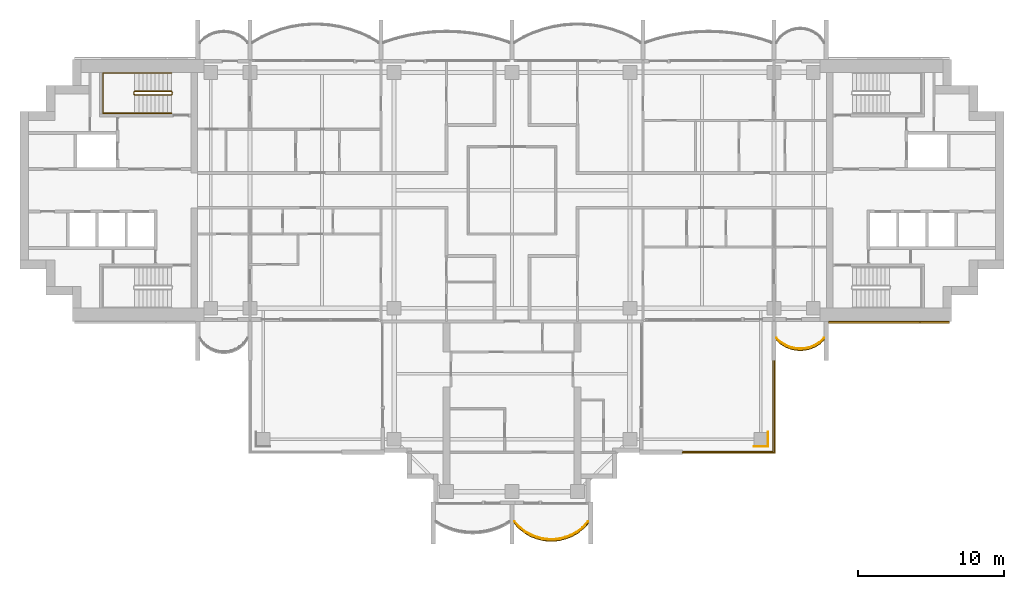
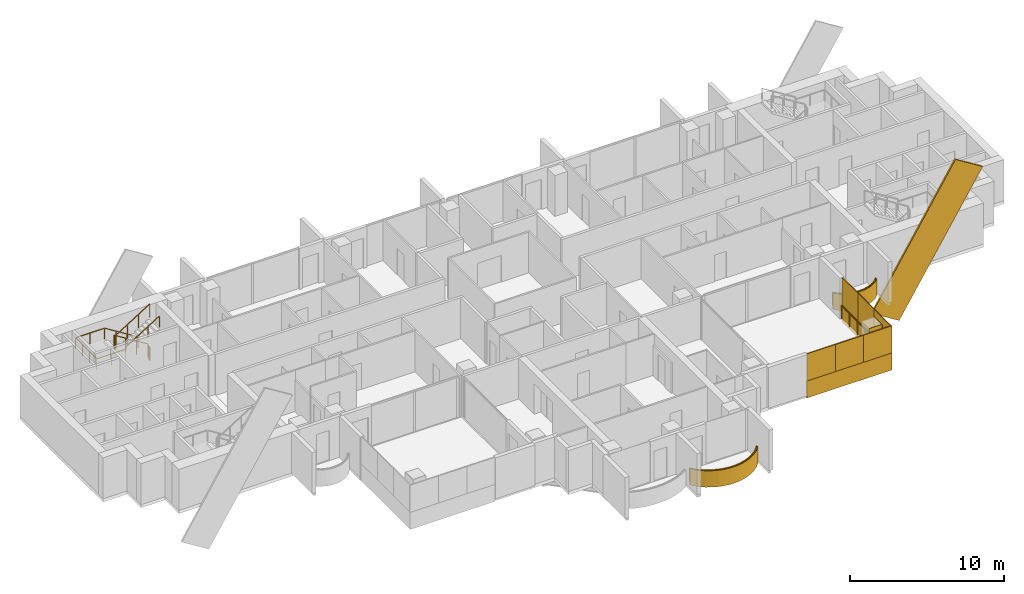
# One storey, part 15 of 17: 12 coverings, 5 railings.
"""IFC4 building model written with IfcOpenShell, lengths in metres."""

from ifc_helpers import new_model, si_unit, direction, frame, origin, origin_2d, place, context, subcontext, project, spatial, polyline, rectangle, outline, extrude, material, layer, layer_set, material_profile, profile_set, type_object, element, save


model = new_model("IFC4")

# Units and contexts
model_context = context("Model", 3, precision=1e-05, world=origin(), true_north=direction((0.0, 1.0)))
body_context = subcontext(model_context, "Body", "Model", "MODEL_VIEW")
ifc_project = project(units=[si_unit("LENGTHUNIT", "METRE"), si_unit("AREAUNIT", "SQUARE_METRE"), si_unit("VOLUMEUNIT", "CUBIC_METRE"), si_unit("PLANEANGLEUNIT", "RADIAN"), si_unit("MASSUNIT", "GRAM", prefix="KILO")], contexts=[model_context])

# Site, building, storey
site_placement = place(None, origin())
site = spatial("IfcSite", under=ifc_project, at=site_placement, CompositionType="ELEMENT")
building_placement = place(site_placement, origin())
building = spatial("IfcBuilding", under=site, at=building_placement, Name="Perihelion Cross Residences", CompositionType="ELEMENT")
storey_placement = place(building_placement, frame((0.0, 0.0, 198.10009765625)))
storey = spatial("IfcBuildingStorey", under=building, at=storey_placement, Name="L49", CompositionType="ELEMENT", Elevation=198.10009765625)

# Coverings
ifc_material_1 = material(Name="Bronze anodised aluminium", Category="aluminium")
ifc_layer_1 = layer(ifc_material_1, 0.070068359375)
ifc_layer_set_1 = layer_set([ifc_layer_1], Name="Balcony fascia 1300")
covering_type_1 = type_object("IfcCoveringType", Name="Balcony fascia 1300", PredefinedType="CLADDING", material=ifc_layer_set_1)
covering_1_placement = place(storey_placement, frame((0.0, 0.0, -0.2001953125)))
element("IfcCovering", 1, at=covering_1_placement, inside=storey, type_object=covering_type_1, Name="Fascia BF1 L49 south tip south bay 2", PredefinedType="CLADDING", context=body_context, shape_type="SweptSolid", body=[
    extrude(outline(polyline([(0.4951171875, -23.27392578125), (0.89599609375, -23.58251953125), (1.296875, -23.806396484375), (1.69775390625, -23.9638671875), (2.0986328125, -24.064697265625), (2.49951171875, -24.114013671875), (2.900390625, -24.114013671875), (3.30126953125, -24.064697265625), (3.7021484375, -23.9638671875), (4.10302734375, -23.806396484375), (4.50390625, -23.58251953125), (4.90478515625, -23.27392578125), (5.25, -22.90283203125), (5.25, -22.800048828125), (4.857666015625, -23.22216796875), (4.46533203125, -23.524169921875), (4.072998046875, -23.7431640625), (3.6806640625, -23.897216796875), (3.28857421875, -23.995849609375), (2.896240234375, -24.0439453125), (2.50390625, -24.0439453125), (2.111572265625, -23.995849609375), (1.71923828125, -23.897216796875), (1.326904296875, -23.7431640625), (0.9345703125, -23.524169921875), (0.542236328125, -23.22216796875), (0.14990234375, -22.800048828125), (0.14990234375, -22.90283203125), (0.4951171875, -23.27392578125)])), origin(), (0.0, 0.0, 1.0), 1.300048828125),
])
covering_2_placement = place(storey_placement, frame((0.0, 0.0, -0.2001953125)))
element("IfcCovering", 2, at=covering_2_placement, inside=storey, type_object=covering_type_1, Name="Fascia BF1 L49 east side south bay 2", PredefinedType="CLADDING", context=body_context, shape_type="SweptSolid", body=[
    extrude(outline(polyline([(18.4375, -10.56298828125), (18.778076171875, -10.77587890625), (19.11865234375, -10.914794921875), (19.45947265625, -10.994140625), (19.800048828125, -11.02001953125), (20.140625, -10.994140625), (20.481201171875, -10.914794921875), (20.82177734375, -10.77587890625), (21.16259765625, -10.56298828125), (21.449951171875, -10.295654296875), (21.449951171875, -10.199951171875), (21.1201171875, -10.507568359375), (20.7900390625, -10.71337890625), (20.4599609375, -10.84814453125), (20.1298828125, -10.925048828125), (19.800048828125, -10.949951171875), (19.469970703125, -10.925048828125), (19.139892578125, -10.84814453125), (18.81005859375, -10.71337890625), (18.47998046875, -10.507568359375), (18.14990234375, -10.199951171875), (18.14990234375, -10.295654296875), (18.4375, -10.56298828125)])), origin(), (0.0, 0.0, 1.0), 1.300048828125),
])

# Railings
ifc_material_2 = material(Name="Bronze anodised aluminium", Category="aluminium")
railing_type_1 = type_object("IfcRailingType", Name="Balcony guard 1100", PredefinedType="GUARDRAIL", material=ifc_material_2)
railing_1_placement = place(storey_placement, frame((0.175048828125, -22.739990234375, 0.0)))
element("IfcRailing", 3, at=railing_1_placement, inside=storey, type_object=railing_type_1, Name="Guard GU1 L49 south tip south bay 2 balcony", PredefinedType="GUARDRAIL", context=body_context, shape_type="SweptSolid", body=[
    extrude(rectangle(XDim=0.048095703125, YDim=0.048095703125, at=origin_2d()), frame((0.0, 0.0, 1.076171875), z_axis=(0.656308349551, -0.754492776844, 0.0), x_axis=(0.754492776844, 0.656308349551, 0.0)), (0.0, 0.0, 1.0), 0.5595703125),
    extrude(rectangle(XDim=0.048095703125, YDim=0.048095703125, at=origin_2d()), frame((0.3671875, -0.422119140625, 1.076171875), z_axis=(0.792422303655, -0.609972862241, 0.0), x_axis=(0.609972862241, 0.792422303655, 0.0)), (0.0, 0.0, 1.0), 0.4951171875),
    extrude(rectangle(XDim=0.048095703125, YDim=0.048095703125, at=origin_2d()), frame((0.759521484375, -0.72412109375, 1.076171875), z_axis=(0.873181568748, -0.487395063576, 0.0), x_axis=(0.487395063576, 0.873181568748, 0.0)), (0.0, 0.0, 1.0), 0.44921875),
    extrude(rectangle(XDim=0.048095703125, YDim=0.048095703125, at=origin_2d()), frame((1.15185546875, -0.943115234375, 1.076171875), z_axis=(0.930617693705, -0.365992770642, 0.0), x_axis=(0.365992770642, 0.930617693705, 0.0)), (0.0, 0.0, 1.0), 0.421630859375),
    extrude(rectangle(XDim=0.048095703125, YDim=0.048095703125, at=origin_2d()), frame((1.544189453125, -1.097412109375, 1.076171875), z_axis=(0.969964714601, -0.243245662716, 0.0), x_axis=(0.243245662716, 0.969964714601, 0.0)), (0.0, 0.0, 1.0), 0.404541015625),
    extrude(rectangle(XDim=0.048095703125, YDim=0.048095703125, at=origin_2d()), frame((1.9365234375, -1.19580078125, 1.076171875), z_axis=(0.992494874491, -0.122286238425, 0.0), x_axis=(0.122286238425, 0.992494874491, 0.0)), (0.0, 0.0, 1.0), 0.395263671875),
    extrude(rectangle(XDim=0.048095703125, YDim=0.048095703125, at=origin_2d()), frame((2.328857421875, -1.244140625, 1.076171875), z_axis=(1.0, 0.0, 0.0), x_axis=(0.0, 1.0, 0.0)), (0.0, 0.0, 1.0), 0.392333984375),
    extrude(rectangle(XDim=0.048095703125, YDim=0.048095703125, at=origin_2d()), frame((2.72119140625, -1.244140625, 1.076171875), z_axis=(0.992494874491, 0.122286238425, 0.0), x_axis=(-0.122286238425, 0.992494874491, 0.0)), (0.0, 0.0, 1.0), 0.395263671875),
    extrude(rectangle(XDim=0.048095703125, YDim=0.048095703125, at=origin_2d()), frame((3.113525390625, -1.19580078125, 1.076171875), z_axis=(0.96992896989, 0.243388153715, 0.0), x_axis=(-0.243388153715, 0.96992896989, 0.0)), (0.0, 0.0, 1.0), 0.404296875),
    extrude(rectangle(XDim=0.048095703125, YDim=0.048095703125, at=origin_2d()), frame((3.505615234375, -1.097412109375, 1.076171875), z_axis=(0.930617693705, 0.365992770642, 0.0), x_axis=(-0.365992770642, 0.930617693705, 0.0)), (0.0, 0.0, 1.0), 0.421630859375),
    extrude(rectangle(XDim=0.048095703125, YDim=0.048095703125, at=origin_2d()), frame((3.89794921875, -0.943115234375, 1.076171875), z_axis=(0.873181568748, 0.487395063576, 0.0), x_axis=(-0.487395063576, 0.873181568748, 0.0)), (0.0, 0.0, 1.0), 0.44921875),
    extrude(rectangle(XDim=0.048095703125, YDim=0.048095703125, at=origin_2d()), frame((4.290283203125, -0.72412109375, 1.076171875), z_axis=(0.792422303655, 0.609972862241, 0.0), x_axis=(-0.609972862241, 0.792422303655, 0.0)), (0.0, 0.0, 1.0), 0.4951171875),
    extrude(rectangle(XDim=0.048095703125, YDim=0.048095703125, at=origin_2d()), frame((4.6826171875, -0.422119140625, 1.076171875), z_axis=(0.656556653543, 0.754276713606, 0.0), x_axis=(-0.754276713606, 0.656556653543, 0.0)), (0.0, 0.0, 1.0), 0.5595703125),
    extrude(rectangle(XDim=0.0419921875, YDim=0.0419921875, at=origin_2d()), origin(), (0.0, 0.0, 1.0), 1.052001953125),
    extrude(rectangle(XDim=0.0419921875, YDim=0.0419921875, at=origin_2d()), frame((0.3671875, -0.422119140625, 0.0)), (0.0, 0.0, 1.0), 1.052001953125),
    extrude(rectangle(XDim=0.0419921875, YDim=0.0419921875, at=origin_2d()), frame((0.759521484375, -0.72412109375, 0.0)), (0.0, 0.0, 1.0), 1.052001953125),
    extrude(rectangle(XDim=0.0419921875, YDim=0.0419921875, at=origin_2d()), frame((1.15185546875, -0.943115234375, 0.0)), (0.0, 0.0, 1.0), 1.052001953125),
    extrude(rectangle(XDim=0.0419921875, YDim=0.0419921875, at=origin_2d()), frame((1.544189453125, -1.097412109375, 0.0)), (0.0, 0.0, 1.0), 1.052001953125),
    extrude(rectangle(XDim=0.0419921875, YDim=0.0419921875, at=origin_2d()), frame((1.9365234375, -1.19580078125, 0.0)), (0.0, 0.0, 1.0), 1.052001953125),
    extrude(rectangle(XDim=0.0419921875, YDim=0.0419921875, at=origin_2d()), frame((2.328857421875, -1.244140625, 0.0)), (0.0, 0.0, 1.0), 1.052001953125),
    extrude(rectangle(XDim=0.0419921875, YDim=0.0419921875, at=origin_2d()), frame((2.72119140625, -1.244140625, 0.0)), (0.0, 0.0, 1.0), 1.052001953125),
    extrude(rectangle(XDim=0.0419921875, YDim=0.0419921875, at=origin_2d()), frame((3.113525390625, -1.19580078125, 0.0)), (0.0, 0.0, 1.0), 1.052001953125),
    extrude(rectangle(XDim=0.0419921875, YDim=0.0419921875, at=origin_2d()), frame((3.505615234375, -1.097412109375, 0.0)), (0.0, 0.0, 1.0), 1.052001953125),
    extrude(rectangle(XDim=0.0419921875, YDim=0.0419921875, at=origin_2d()), frame((3.89794921875, -0.943115234375, 0.0)), (0.0, 0.0, 1.0), 1.052001953125),
    extrude(rectangle(XDim=0.0419921875, YDim=0.0419921875, at=origin_2d()), frame((4.290283203125, -0.72412109375, 0.0)), (0.0, 0.0, 1.0), 1.052001953125),
    extrude(rectangle(XDim=0.0419921875, YDim=0.0419921875, at=origin_2d()), frame((4.6826171875, -0.422119140625, 0.0)), (0.0, 0.0, 1.0), 1.052001953125),
    extrude(rectangle(XDim=0.0419921875, YDim=0.0419921875, at=origin_2d()), frame((5.050048828125, 0.0, 0.0)), (0.0, 0.0, 1.0), 1.052001953125),
])
railing_2_placement = place(storey_placement, frame((18.175048828125, -10.139892578125, 0.0)))
element("IfcRailing", 4, at=railing_2_placement, inside=storey, type_object=railing_type_1, Name="Guard GU1 L49 east side south bay 2 balcony", PredefinedType="GUARDRAIL", context=body_context, shape_type="SweptSolid", body=[
    extrude(rectangle(XDim=0.048095703125, YDim=0.048095703125, at=origin_2d()), frame((0.0, 0.0, 1.076171875), z_axis=(0.703999905859, -0.710200065158, 0.0), x_axis=(0.710200065158, 0.703999905859, 0.0)), (0.0, 0.0, 1.0), 0.43310546875),
    extrude(rectangle(XDim=0.048095703125, YDim=0.048095703125, at=origin_2d()), frame((0.304931640625, -0.3076171875, 1.076171875), z_axis=(0.848280173265, -0.529547682127, 0.0), x_axis=(0.529547682127, 0.848280173265, 0.0)), (0.0, 0.0, 1.0), 0.38916015625),
    extrude(rectangle(XDim=0.048095703125, YDim=0.048095703125, at=origin_2d()), frame((0.635009765625, -0.513671875, 1.076171875), z_axis=(0.925950379976, -0.377645195682, 0.0), x_axis=(0.377645195682, 0.925950379976, 0.0)), (0.0, 0.0, 1.0), 0.356201171875),
    extrude(rectangle(XDim=0.048095703125, YDim=0.048095703125, at=origin_2d()), frame((0.96484375, -0.648193359375, 1.076171875), z_axis=(0.97391554583, -0.226910796551, 0.0), x_axis=(0.226910796551, 0.97391554583, 0.0)), (0.0, 0.0, 1.0), 0.3388671875),
    extrude(rectangle(XDim=0.048095703125, YDim=0.048095703125, at=origin_2d()), frame((1.294921875, -0.72509765625, 1.076171875), z_axis=(0.997166208737, -0.075229995038, 0.0), x_axis=(0.075229995038, 0.997166208737, 0.0)), (0.0, 0.0, 1.0), 0.3310546875),
    extrude(rectangle(XDim=0.048095703125, YDim=0.048095703125, at=origin_2d()), frame((1.625, -0.75, 1.076171875), z_axis=(0.997162029931, 0.075285364214, 0.0), x_axis=(-0.075285364214, 0.997162029931, 0.0)), (0.0, 0.0, 1.0), 0.330810546875),
    extrude(rectangle(XDim=0.048095703125, YDim=0.048095703125, at=origin_2d()), frame((1.954833984375, -0.72509765625, 1.076171875), z_axis=(0.97391554583, 0.226910796551, 0.0), x_axis=(-0.226910796551, 0.97391554583, 0.0)), (0.0, 0.0, 1.0), 0.3388671875),
    extrude(rectangle(XDim=0.048095703125, YDim=0.048095703125, at=origin_2d()), frame((2.284912109375, -0.648193359375, 1.076171875), z_axis=(0.926048033295, 0.377405670374, 0.0), x_axis=(-0.377405670374, 0.926048033295, 0.0)), (0.0, 0.0, 1.0), 0.3564453125),
    extrude(rectangle(XDim=0.048095703125, YDim=0.048095703125, at=origin_2d()), frame((2.614990234375, -0.513671875, 1.076171875), z_axis=(0.848280173265, 0.529547682127, 0.0), x_axis=(-0.529547682127, 0.848280173265, 0.0)), (0.0, 0.0, 1.0), 0.38916015625),
    extrude(rectangle(XDim=0.048095703125, YDim=0.048095703125, at=origin_2d()), frame((2.945068359375, -0.3076171875, 1.076171875), z_axis=(0.703999905859, 0.710200065158, 0.0), x_axis=(-0.710200065158, 0.703999905859, 0.0)), (0.0, 0.0, 1.0), 0.43310546875),
    extrude(rectangle(XDim=0.0419921875, YDim=0.0419921875, at=origin_2d()), origin(), (0.0, 0.0, 1.0), 1.052001953125),
    extrude(rectangle(XDim=0.0419921875, YDim=0.0419921875, at=origin_2d()), frame((0.304931640625, -0.3076171875, 0.0)), (0.0, 0.0, 1.0), 1.052001953125),
    extrude(rectangle(XDim=0.0419921875, YDim=0.0419921875, at=origin_2d()), frame((0.635009765625, -0.513671875, 0.0)), (0.0, 0.0, 1.0), 1.052001953125),
    extrude(rectangle(XDim=0.0419921875, YDim=0.0419921875, at=origin_2d()), frame((0.96484375, -0.648193359375, 0.0)), (0.0, 0.0, 1.0), 1.052001953125),
    extrude(rectangle(XDim=0.0419921875, YDim=0.0419921875, at=origin_2d()), frame((1.294921875, -0.72509765625, 0.0)), (0.0, 0.0, 1.0), 1.052001953125),
    extrude(rectangle(XDim=0.0419921875, YDim=0.0419921875, at=origin_2d()), frame((1.625, -0.75, 0.0)), (0.0, 0.0, 1.0), 1.052001953125),
    extrude(rectangle(XDim=0.0419921875, YDim=0.0419921875, at=origin_2d()), frame((1.954833984375, -0.72509765625, 0.0)), (0.0, 0.0, 1.0), 1.052001953125),
    extrude(rectangle(XDim=0.0419921875, YDim=0.0419921875, at=origin_2d()), frame((2.284912109375, -0.648193359375, 0.0)), (0.0, 0.0, 1.0), 1.052001953125),
    extrude(rectangle(XDim=0.0419921875, YDim=0.0419921875, at=origin_2d()), frame((2.614990234375, -0.513671875, 0.0)), (0.0, 0.0, 1.0), 1.052001953125),
    extrude(rectangle(XDim=0.0419921875, YDim=0.0419921875, at=origin_2d()), frame((2.945068359375, -0.3076171875, 0.0)), (0.0, 0.0, 1.0), 1.052001953125),
    extrude(rectangle(XDim=0.0419921875, YDim=0.0419921875, at=origin_2d()), frame((3.25, 0.0, 0.0)), (0.0, 0.0, 1.0), 1.052001953125),
])
railing_3_placement = place(storey_placement, frame((17.93994140625, -11.739990234375, 0.0)))
element("IfcRailing", 5, at=railing_3_placement, inside=storey, type_object=railing_type_1, Name="Guard GU1 L49 pocket south-east 1", PredefinedType="GUARDRAIL", context=body_context, shape_type="SweptSolid", body=[
    extrude(rectangle(XDim=0.048095703125, YDim=0.048095703125, at=origin_2d()), frame((0.0, 0.0, 1.076171875), z_axis=(0.0, -1.0, 0.0), x_axis=(1.0, 0.0, 0.0)), (0.0, 0.0, 1.0), 6.199951171875),
    extrude(rectangle(XDim=0.048095703125, YDim=0.048095703125, at=origin_2d()), frame((0.0, -6.199951171875, 1.076171875), z_axis=(-1.0, 0.0, 0.0), x_axis=(0.0, -1.0, 0.0)), (0.0, 0.0, 1.0), 6.199951171875),
    extrude(rectangle(XDim=0.0419921875, YDim=0.0419921875, at=origin_2d()), origin(), (0.0, 0.0, 1.0), 1.052001953125),
    extrude(rectangle(XDim=0.0419921875, YDim=0.0419921875, at=origin_2d()), frame((0.0, -1.033203125, 0.0)), (0.0, 0.0, 1.0), 1.052001953125),
    extrude(rectangle(XDim=0.0419921875, YDim=0.0419921875, at=origin_2d()), frame((0.0, -2.066650390625, 0.0)), (0.0, 0.0, 1.0), 1.052001953125),
    extrude(rectangle(XDim=0.0419921875, YDim=0.0419921875, at=origin_2d()), frame((0.0, -3.10009765625, 0.0)), (0.0, 0.0, 1.0), 1.052001953125),
    extrude(rectangle(XDim=0.0419921875, YDim=0.0419921875, at=origin_2d()), frame((0.0, -4.13330078125, 0.0)), (0.0, 0.0, 1.0), 1.052001953125),
    extrude(rectangle(XDim=0.0419921875, YDim=0.0419921875, at=origin_2d()), frame((0.0, -5.16650390625, 0.0)), (0.0, 0.0, 1.0), 1.052001953125),
    extrude(rectangle(XDim=0.0419921875, YDim=0.0419921875, at=origin_2d()), frame((0.0, -6.199951171875, 0.0)), (0.0, 0.0, 1.0), 1.052001953125),
    extrude(rectangle(XDim=0.0419921875, YDim=0.0419921875, at=origin_2d()), frame((-1.033203125, -6.199951171875, 0.0)), (0.0, 0.0, 1.0), 1.052001953125),
    extrude(rectangle(XDim=0.0419921875, YDim=0.0419921875, at=origin_2d()), frame((-2.066650390625, -6.199951171875, 0.0)), (0.0, 0.0, 1.0), 1.052001953125),
    extrude(rectangle(XDim=0.0419921875, YDim=0.0419921875, at=origin_2d()), frame((-3.10009765625, -6.199951171875, 0.0)), (0.0, 0.0, 1.0), 1.052001953125),
    extrude(rectangle(XDim=0.0419921875, YDim=0.0419921875, at=origin_2d()), frame((-4.13330078125, -6.199951171875, 0.0)), (0.0, 0.0, 1.0), 1.052001953125),
    extrude(rectangle(XDim=0.0419921875, YDim=0.0419921875, at=origin_2d()), frame((-5.16650390625, -6.199951171875, 0.0)), (0.0, 0.0, 1.0), 1.052001953125),
    extrude(rectangle(XDim=0.0419921875, YDim=0.0419921875, at=origin_2d()), frame((-6.199951171875, -6.199951171875, 0.0)), (0.0, 0.0, 1.0), 1.052001953125),
])

# Coverings
ifc_material_3 = material(Name="Bronze anodised aluminium", Category="aluminium")
ifc_material_profile = material_profile(ifc_material_3, rectangle(XDim=0.125, YDim=2.39990234375, at=origin_2d()), Name="Bronze cladding band 2400")
ifc_profile_set = profile_set([ifc_material_profile], Name="Bronze anodised aluminium")
covering_type_2 = type_object("IfcCoveringType", Name="Bronze cladding band 2400", PredefinedType="CLADDING", material=ifc_profile_set)
covering_3_placement = place(storey_placement, frame((22.767578125, -9.0625, -3.121826171875), z_axis=(0.529924684379, 0.0, 0.848044709249), x_axis=(0.0, 1.0, 0.0)))
element("IfcCovering", 6, at=covering_3_placement, inside=storey, type_object=covering_type_2, Name="Core cladding band, east core", PredefinedType="CLADDING", context=body_context, shape_type="SweptSolid", body=[
    extrude(rectangle(XDim=0.125, YDim=2.39990234375, at=origin_2d()), origin(), (0.0, 0.0, 1.0), 11.82177734375),
])
ifc_material_4 = material(Name="Bronze anodised aluminium", Category="aluminium")
ifc_layer_2 = layer(ifc_material_4, 0.0400390625)
ifc_layer_set_2 = layer_set([ifc_layer_2], Name="Bronze column casing 40")
covering_type_3 = type_object("IfcCoveringType", Name="Bronze column casing 40", PredefinedType="CLADDING", material=ifc_layer_set_2)
covering_4_placement = place(storey_placement, frame((17.594970703125, -17.10009765625, -0.25), z_axis=(0.0, 0.0, 1.0), x_axis=(1.0, 0.0, 0.0)))
element("IfcCovering", 7, at=covering_4_placement, inside=storey, type_object=covering_type_3, Name="Cladding CC1 L49 casing east-west no. 2", PredefinedType="CLADDING", context=body_context, shape_type="SweptSolid", body=[
    extrude(rectangle(XDim=0.0400390625, YDim=1.030029296875, at=origin_2d()), origin(), (0.0, 0.0, 1.0), 3.5),
])
covering_5_placement = place(storey_placement, frame((17.10009765625, -17.594970703125, -0.25), z_axis=(0.0, 0.0, 1.0), x_axis=(1.0, 0.0, 0.0)))
element("IfcCovering", 8, at=covering_5_placement, inside=storey, type_object=covering_type_3, Name="Cladding CC1 L49 casing north-south no. 2", PredefinedType="CLADDING", context=body_context, shape_type="SweptSolid", body=[
    extrude(rectangle(XDim=0.949951171875, YDim=0.0400390625, at=origin_2d()), origin(), (0.0, 0.0, 1.0), 3.5),
])
ifc_material_5 = material(Name="Bronze anodised aluminium", Category="aluminium")
ifc_layer_3 = layer(ifc_material_5, 0.070068359375)
ifc_layer_set_3 = layer_set([ifc_layer_3], Name="Pocket fascia 1350")
covering_type_4 = type_object("IfcCoveringType", Name="Pocket fascia 1350", PredefinedType="CLADDING", material=ifc_layer_set_3)
covering_6_placement = place(storey_placement, frame((0.0, 0.0, -0.25)))
element("IfcCovering", 9, at=covering_6_placement, inside=storey, type_object=covering_type_4, Name="Fascia BF2 L49 pocket south-east 3", PredefinedType="CLADDING", context=body_context, shape_type="SweptSolid", body=[
    extrude(outline(polyline([(18.070068359375, -18.070068359375), (18.070068359375, -11.699951171875), (18.0, -11.699951171875), (18.0, -18.0), (11.699951171875, -18.0), (11.699951171875, -18.070068359375), (18.070068359375, -18.070068359375)])), origin(), (0.0, 0.0, 1.0), 1.349853515625),
])
ifc_material_6 = material(Name="Bronze perforated aluminium", Category="aluminium")
ifc_layer_4 = layer(ifc_material_6, 0.070068359375)
ifc_layer_set_4 = layer_set([ifc_layer_4], Name="Pocket solar screen, bronze perforated")
covering_type_5 = type_object("IfcCoveringType", Name="Pocket solar screen, bronze perforated", PredefinedType="CLADDING", material=ifc_layer_set_4)
covering_7_placement = place(storey_placement, frame((0.0, 0.0, 1.099853515625)))
element("IfcCovering", 10, at=covering_7_placement, inside=storey, type_object=covering_type_5, Name="Solar screen PS1 L49 pocket south-east no. 1", PredefinedType="CLADDING", context=body_context, shape_type="SweptSolid", body=[
    extrude(outline(polyline([(18.070068359375, -18.0), (18.070068359375, -15.89990234375), (18.0, -15.89990234375), (18.0, -18.0), (18.070068359375, -18.0)])), origin(), (0.0, 0.0, 1.0), 2.150146484375),
])
covering_8_placement = place(storey_placement, frame((0.0, 0.0, 1.099853515625)))
element("IfcCovering", 11, at=covering_8_placement, inside=storey, type_object=covering_type_5, Name="Solar screen PS1 L49 pocket south-east no. 2", PredefinedType="CLADDING", context=body_context, shape_type="SweptSolid", body=[
    extrude(outline(polyline([(18.070068359375, -15.89990234375), (18.070068359375, -13.800048828125), (18.0, -13.800048828125), (18.0, -15.89990234375), (18.070068359375, -15.89990234375)])), origin(), (0.0, 0.0, 1.0), 2.150146484375),
])
covering_9_placement = place(storey_placement, frame((0.0, 0.0, 1.099853515625)))
element("IfcCovering", 12, at=covering_9_placement, inside=storey, type_object=covering_type_5, Name="Solar screen PS1 L49 pocket south-east no. 3", PredefinedType="CLADDING", context=body_context, shape_type="SweptSolid", body=[
    extrude(outline(polyline([(18.070068359375, -13.800048828125), (18.070068359375, -11.699951171875), (18.0, -11.699951171875), (18.0, -13.800048828125), (18.070068359375, -13.800048828125)])), origin(), (0.0, 0.0, 1.0), 2.150146484375),
])
covering_10_placement = place(storey_placement, frame((0.0, 0.0, 1.099853515625)))
element("IfcCovering", 13, at=covering_10_placement, inside=storey, type_object=covering_type_5, Name="Solar screen PS1 L49 pocket south-east no. 4", PredefinedType="CLADDING", context=body_context, shape_type="SweptSolid", body=[
    extrude(outline(polyline([(13.8232421875, -18.070068359375), (13.8232421875, -18.0), (11.699951171875, -18.0), (11.699951171875, -18.070068359375), (13.8232421875, -18.070068359375)])), origin(), (0.0, 0.0, 1.0), 2.150146484375),
])
covering_11_placement = place(storey_placement, frame((0.0, 0.0, 1.099853515625)))
element("IfcCovering", 14, at=covering_11_placement, inside=storey, type_object=covering_type_5, Name="Solar screen PS1 L49 pocket south-east no. 5", PredefinedType="CLADDING", context=body_context, shape_type="SweptSolid", body=[
    extrude(outline(polyline([(15.94677734375, -18.070068359375), (15.94677734375, -18.0), (13.8232421875, -18.0), (13.8232421875, -18.070068359375), (15.94677734375, -18.070068359375)])), origin(), (0.0, 0.0, 1.0), 2.150146484375),
])
covering_12_placement = place(storey_placement, frame((0.0, 0.0, 1.099853515625)))
element("IfcCovering", 15, at=covering_12_placement, inside=storey, type_object=covering_type_5, Name="Solar screen PS1 L49 pocket south-east no. 6", PredefinedType="CLADDING", context=body_context, shape_type="SweptSolid", body=[
    extrude(outline(polyline([(18.070068359375, -18.070068359375), (18.070068359375, -18.0), (15.94677734375, -18.0), (15.94677734375, -18.070068359375), (18.070068359375, -18.070068359375)])), origin(), (0.0, 0.0, 1.0), 2.150146484375),
])

# Railings
ifc_material_7 = material(Name="Stainless steel", Category="steel")
railing_type_2 = type_object("IfcRailingType", Name="Stair guard 1100", PredefinedType="GUARDRAIL", material=ifc_material_7)
railing_4_placement = place(storey_placement, frame((-23.35009765625, 6.60009765625, 0.0)))
element("IfcRailing", 16, at=railing_4_placement, inside=storey, type_object=railing_type_2, Name="L49 ST-W1 stair guard 1", PredefinedType="GUARDRAIL", context=body_context, shape_type="SweptSolid", body=[
    extrude(rectangle(XDim=0.048095703125, YDim=0.048095703125, at=origin_2d()), frame((0.0, 0.0, 1.076171875), z_axis=(0.0, 1.0, 0.0), x_axis=(-1.0, 0.0, 0.0)), (0.0, 0.0, 1.0), 0.14990234375),
    extrude(rectangle(XDim=0.048095703125, YDim=0.048095703125, at=origin_2d()), frame((0.0, 0.14990234375, 1.076171875), z_axis=(-0.264179342666, 0.265474339444, 0.927217692888), x_axis=(-0.708833529934, -0.705375805398, 0.0)), (0.0, 0.0, 1.0), 0.1884765625),
    extrude(rectangle(XDim=0.048095703125, YDim=0.048095703125, at=origin_2d()), frame((-0.0498046875, 0.199951171875, 1.2509765625), z_axis=(-0.847970611238, 0.0, 0.530043245855), x_axis=(0.0, -1.0, 0.0)), (0.0, 0.0, 1.0), 2.971923828125),
    extrude(rectangle(XDim=0.048095703125, YDim=0.048095703125, at=origin_2d()), frame((-2.56982421875, 0.199951171875, 2.826171875), z_axis=(-0.707106781187, -0.707106781187, 0.0), x_axis=(0.707106781187, -0.707106781187, 0.0)), (0.0, 0.0, 1.0), 0.07080078125),
    extrude(rectangle(XDim=0.048095703125, YDim=0.048095703125, at=origin_2d()), frame((-2.619873046875, 0.14990234375, 2.826171875), z_axis=(0.0, -1.0, 0.0), x_axis=(1.0, 0.0, 0.0)), (0.0, 0.0, 1.0), 0.14990234375),
    extrude(rectangle(XDim=0.048095703125, YDim=0.048095703125, at=origin_2d()), frame((-2.619873046875, 0.0, 2.826171875), z_axis=(0.265383341853, -0.265383341853, 0.926899867156), x_axis=(0.707106781187, 0.707106781187, 0.0)), (0.0, 0.0, 1.0), 0.1884765625),
    extrude(rectangle(XDim=0.048095703125, YDim=0.048095703125, at=origin_2d()), frame((-2.56982421875, -0.050048828125, 3.0009765625), z_axis=(0.847970611238, 0.0, 0.530043245855), x_axis=(0.0, 1.0, 0.0)), (0.0, 0.0, 1.0), 2.971923828125),
    extrude(rectangle(XDim=0.0419921875, YDim=0.0419921875, at=origin_2d()), origin(), (0.0, 0.0, 1.0), 1.052001953125),
    extrude(rectangle(XDim=0.0419921875, YDim=0.0419921875, at=origin_2d()), frame((0.0, 0.14990234375, 0.0)), (0.0, 0.0, 1.0), 1.052001953125),
    extrude(rectangle(XDim=0.0419921875, YDim=0.0419921875, at=origin_2d()), frame((-0.0498046875, 0.199951171875, 0.1748046875)), (0.0, 0.0, 1.0), 1.052001953125),
    extrude(rectangle(XDim=0.0419921875, YDim=0.0419921875, at=origin_2d()), frame((-0.889892578125, 0.199951171875, 0.699951171875)), (0.0, 0.0, 1.0), 1.052001953125),
    extrude(rectangle(XDim=0.0419921875, YDim=0.0419921875, at=origin_2d()), frame((-1.729736328125, 0.199951171875, 1.224853515625)), (0.0, 0.0, 1.0), 1.052001953125),
    extrude(rectangle(XDim=0.0419921875, YDim=0.0419921875, at=origin_2d()), frame((-2.56982421875, 0.199951171875, 1.75)), (0.0, 0.0, 1.0), 1.052001953125),
    extrude(rectangle(XDim=0.0419921875, YDim=0.0419921875, at=origin_2d()), frame((-2.619873046875, 0.14990234375, 1.75)), (0.0, 0.0, 1.0), 1.052001953125),
    extrude(rectangle(XDim=0.0419921875, YDim=0.0419921875, at=origin_2d()), frame((-2.619873046875, 0.0, 1.75)), (0.0, 0.0, 1.0), 1.052001953125),
    extrude(rectangle(XDim=0.0419921875, YDim=0.0419921875, at=origin_2d()), frame((-2.56982421875, -0.050048828125, 1.9248046875)), (0.0, 0.0, 1.0), 1.052001953125),
    extrude(rectangle(XDim=0.0419921875, YDim=0.0419921875, at=origin_2d()), frame((-1.729736328125, -0.050048828125, 2.449951171875)), (0.0, 0.0, 1.0), 1.052001953125),
    extrude(rectangle(XDim=0.0419921875, YDim=0.0419921875, at=origin_2d()), frame((-0.889892578125, -0.050048828125, 2.974853515625)), (0.0, 0.0, 1.0), 1.052001953125),
    extrude(rectangle(XDim=0.0419921875, YDim=0.0419921875, at=origin_2d()), frame((-0.0498046875, -0.050048828125, 3.5)), (0.0, 0.0, 1.0), 1.052001953125),
])
ifc_material_8 = material(Name="Stainless steel", Category="steel")
railing_type_3 = type_object("IfcRailingType", Name="Stair handrail 900", PredefinedType="HANDRAIL", material=ifc_material_8)
railing_5_placement = place(storey_placement, frame((-23.39990234375, 8.050048828125, 0.1748046875)))
element("IfcRailing", 17, at=railing_5_placement, inside=storey, type_object=railing_type_3, Name="L49 ST-W1 stair handrail 1", PredefinedType="HANDRAIL", context=body_context, shape_type="SweptSolid", body=[
    extrude(rectangle(XDim=0.048095703125, YDim=0.048095703125, at=origin_2d()), frame((0.0, 0.0, 0.8759765625), z_axis=(-0.847970611238, 0.0, 0.530043245855), x_axis=(0.0, -1.0, 0.0)), (0.0, 0.0, 1.0), 2.971923828125),
    extrude(rectangle(XDim=0.048095703125, YDim=0.048095703125, at=origin_2d()), frame((-2.52001953125, 0.0, 2.451171875), z_axis=(-1.0, 0.0, 0.0), x_axis=(0.0, -1.0, 0.0)), (0.0, 0.0, 1.0), 2.18017578125),
    extrude(rectangle(XDim=0.048095703125, YDim=0.048095703125, at=origin_2d()), frame((-4.7001953125, 0.0, 2.451171875), z_axis=(0.0, -1.0, 0.0), x_axis=(1.0, 0.0, 0.0)), (0.0, 0.0, 1.0), 2.75),
    extrude(rectangle(XDim=0.048095703125, YDim=0.048095703125, at=origin_2d()), frame((-4.7001953125, -2.75, 2.451171875), z_axis=(1.0, 0.0, 0.0), x_axis=(0.0, 1.0, 0.0)), (0.0, 0.0, 1.0), 2.18017578125),
    extrude(rectangle(XDim=0.048095703125, YDim=0.048095703125, at=origin_2d()), frame((-2.52001953125, -2.75, 2.451171875), z_axis=(0.0, 0.0, 1.0), x_axis=(1.0, 0.0, 0.0)), (0.0, 0.0, 1.0), 0.1748046875),
    extrude(rectangle(XDim=0.048095703125, YDim=0.048095703125, at=origin_2d()), frame((-2.52001953125, -2.75, 2.6259765625), z_axis=(0.847970611238, 0.0, 0.530043245855), x_axis=(0.0, 1.0, 0.0)), (0.0, 0.0, 1.0), 2.971923828125),
    extrude(rectangle(XDim=0.0419921875, YDim=0.0419921875, at=origin_2d()), origin(), (0.0, 0.0, 1.0), 0.851806640625),
    extrude(rectangle(XDim=0.0419921875, YDim=0.0419921875, at=origin_2d()), frame((-0.840087890625, 0.0, 0.525146484375)), (0.0, 0.0, 1.0), 0.851806640625),
    extrude(rectangle(XDim=0.0419921875, YDim=0.0419921875, at=origin_2d()), frame((-1.679931640625, 0.0, 1.050048828125)), (0.0, 0.0, 1.0), 0.851806640625),
    extrude(rectangle(XDim=0.0419921875, YDim=0.0419921875, at=origin_2d()), frame((-2.52001953125, 0.0, 1.5751953125)), (0.0, 0.0, 1.0), 0.851806640625),
    extrude(rectangle(XDim=0.0419921875, YDim=0.0419921875, at=origin_2d()), frame((-3.610107421875, 0.0, 1.5751953125)), (0.0, 0.0, 1.0), 0.851806640625),
    extrude(rectangle(XDim=0.0419921875, YDim=0.0419921875, at=origin_2d()), frame((-4.7001953125, 0.0, 1.5751953125)), (0.0, 0.0, 1.0), 0.851806640625),
    extrude(rectangle(XDim=0.0419921875, YDim=0.0419921875, at=origin_2d()), frame((-4.7001953125, -0.916748046875, 1.5751953125)), (0.0, 0.0, 1.0), 0.851806640625),
    extrude(rectangle(XDim=0.0419921875, YDim=0.0419921875, at=origin_2d()), frame((-4.7001953125, -1.833251953125, 1.5751953125)), (0.0, 0.0, 1.0), 0.851806640625),
    extrude(rectangle(XDim=0.0419921875, YDim=0.0419921875, at=origin_2d()), frame((-4.7001953125, -2.75, 1.5751953125)), (0.0, 0.0, 1.0), 0.851806640625),
    extrude(rectangle(XDim=0.0419921875, YDim=0.0419921875, at=origin_2d()), frame((-3.610107421875, -2.75, 1.5751953125)), (0.0, 0.0, 1.0), 0.851806640625),
    extrude(rectangle(XDim=0.0419921875, YDim=0.0419921875, at=origin_2d()), frame((-2.52001953125, -2.75, 1.5751953125)), (0.0, 0.0, 1.0), 0.851806640625),
    extrude(rectangle(XDim=0.0419921875, YDim=0.0419921875, at=origin_2d()), frame((-2.52001953125, -2.75, 1.75)), (0.0, 0.0, 1.0), 0.851806640625),
    extrude(rectangle(XDim=0.0419921875, YDim=0.0419921875, at=origin_2d()), frame((-1.679931640625, -2.75, 2.275146484375)), (0.0, 0.0, 1.0), 0.851806640625),
    extrude(rectangle(XDim=0.0419921875, YDim=0.0419921875, at=origin_2d()), frame((-0.840087890625, -2.75, 2.800048828125)), (0.0, 0.0, 1.0), 0.851806640625),
    extrude(rectangle(XDim=0.0419921875, YDim=0.0419921875, at=origin_2d()), frame((0.0, -2.75, 3.3251953125)), (0.0, 0.0, 1.0), 0.851806640625),
])

save(model, "model.ifc")
